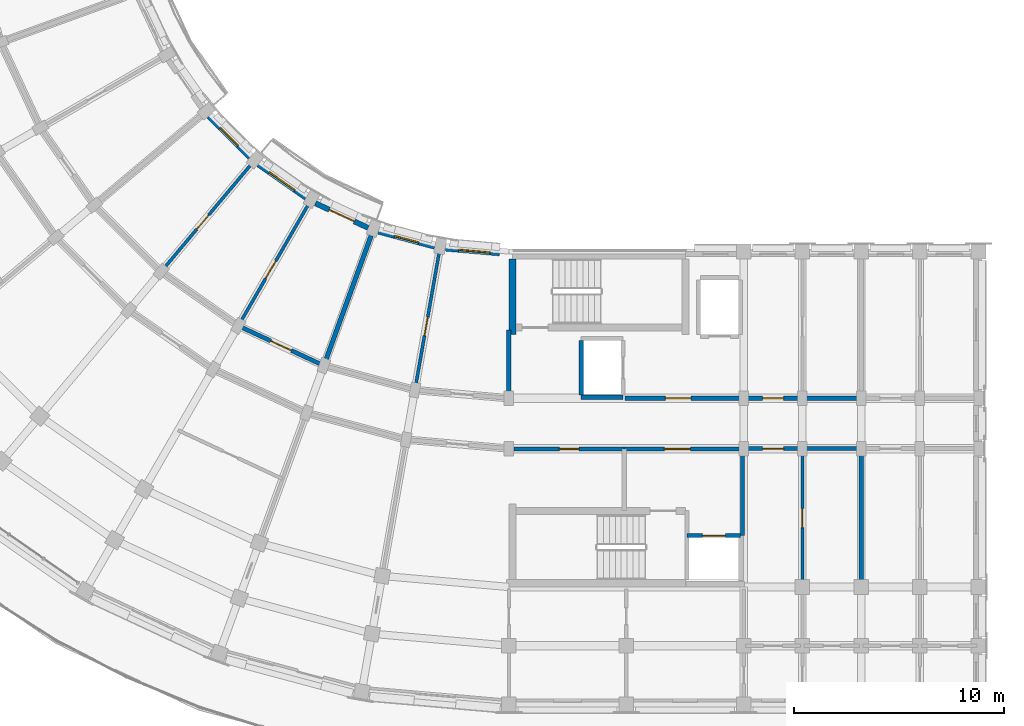
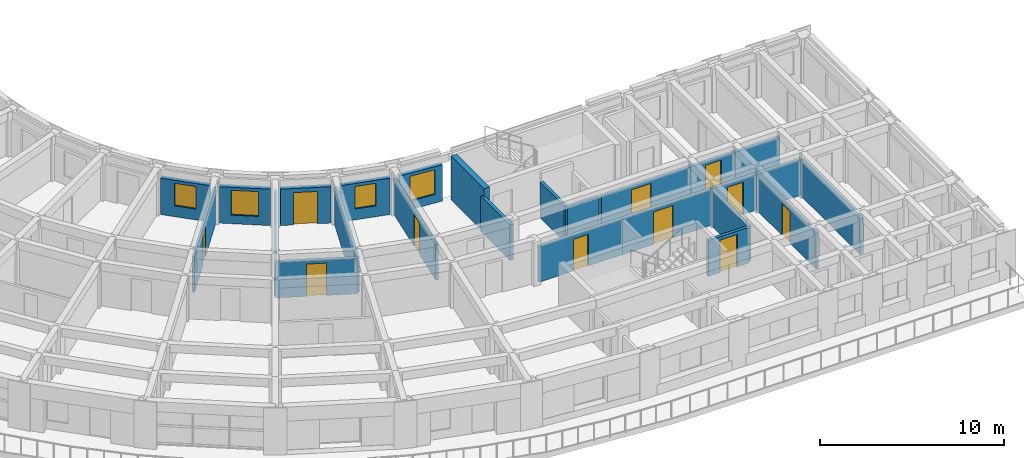
# One storey, part 19 of 57: 25 walls, 12 doors, 4 windows, 16 openings.
"""IFC4 building model written with IfcOpenShell, lengths in metres."""

from ifc_helpers import new_model, si_unit, direction, frame, frame_2d, origin, place, context, subcontext, project, spatial, rectangle, extrude, material, layer, layer_set, type_object, element, fill, save


model = new_model("IFC4")

# Units and contexts
model_context = context("Model", 3, precision=1e-05, world=origin(), true_north=direction((0.0, 1.0)))
body_context = subcontext(model_context, "Body", "Model", "MODEL_VIEW")
ifc_project = project(units=[si_unit("LENGTHUNIT", "METRE"), si_unit("AREAUNIT", "SQUARE_METRE"), si_unit("VOLUMEUNIT", "CUBIC_METRE"), si_unit("PLANEANGLEUNIT", "RADIAN"), si_unit("MASSUNIT", "GRAM", prefix="KILO")], contexts=[model_context])

# Site, building, storey
site_placement = place(None, origin())
site = spatial("IfcSite", under=ifc_project, at=site_placement, CompositionType="ELEMENT")
building_placement = place(site_placement, origin())
building = spatial("IfcBuilding", under=site, at=building_placement, Name="Kiranvali Square Residences", CompositionType="ELEMENT")
storey_placement = place(building_placement, frame((0.0, 0.0, 24.449951171875)))
storey = spatial("IfcBuildingStorey", under=building, at=storey_placement, Name="L07", CompositionType="ELEMENT", Elevation=24.449951171875)

# Wall, opening, door
ifc_material_1 = material(Name="Autoclaved aerated concrete blockwork masonry", Category="masonry")
ifc_layer_1 = layer(ifc_material_1, 0.199951171875)
ifc_layer_set_1 = layer_set([ifc_layer_1], Name="Autoclaved aerated concrete blockwork masonry")
wall_type_1 = type_object("IfcWallType", Name="WL-COR-200", PredefinedType="STANDARD", material=ifc_layer_set_1)
wall_1_placement = place(storey_placement, frame((53.75, 22.39990234375, 0.0), z_axis=(0.0, 0.0, 1.0), x_axis=(1.0, 0.0, 0.0)))
wall_1 = element("IfcWall", 1, at=wall_1_placement, inside=storey, type_object=wall_type_1, Name="L07 architectural wall WL-L07-C-LL-COR", PredefinedType="STANDARD", context=body_context, shape_type="SweptSolid", body=[
    extrude(rectangle(XDim=5.60009765625, YDim=0.199951171875, at=frame_2d((2.800048828125, 0.0))), origin(), (0.0, 0.0, 1.0), 2.3720703125),
])
opening_1_placement = place(wall_1_placement, frame((1.909912109375, 0.0, 0.0)))
opening_1 = element("IfcOpeningElement", 2, at=opening_1_placement, cuts=wall_1, Name="Opening FD-COR-60", PredefinedType="OPENING", context=body_context, shape_type="SweptSolid", body=[
    extrude(rectangle(XDim=1.219970703125, YDim=2.14990234375, at=frame_2d((0.60986328125, 1.074951171875))), frame((0.0, 0.10986328125, 0.0), z_axis=(0.0, -1.0, 0.0), x_axis=(1.0, 0.0, 0.0)), (0.0, 0.0, 1.0), 0.219970703125),
])
ifc_material_2 = material(Name="Fire-rated acoustic hardwood and mineral-core door assembly", Category="wood")
door_type_1 = type_object("IfcDoorType", Name="DR-FD60-1200", OperationType="NOTDEFINED", PredefinedType="DOOR", material=ifc_material_2)
door_1_placement = place(opening_1_placement, frame((1.219970703125, 0.0, 0.0), z_axis=(0.0, 0.0, 1.0), x_axis=(-1.0, 0.0, 0.0)))
door_1 = element("IfcDoor", 3, at=door_1_placement, inside=storey, type_object=door_type_1, Name="L07 door DR-L07-2148 (DR-FD60-1200)", OperationType="SINGLE_SWING_RIGHT", OverallHeight=2.14990234375, OverallWidth=1.219970703125, PredefinedType="DOOR", context=body_context, shape_type="SweptSolid", body=[
    extrude(rectangle(XDim=1.219970703125, YDim=2.14990234375, at=frame_2d((0.60986328125, 1.074951171875))), frame((0.0, 0.02490234375, 0.0), z_axis=(0.0, -1.0, 0.0), x_axis=(1.0, 0.0, 0.0)), (0.0, 0.0, 1.0), 0.050048828125),
])
fill(opening_1, door_1)

wall_2_placement = place(storey_placement, frame((59.39990234375, 22.39990234375, 0.0), z_axis=(0.0, 0.0, 1.0), x_axis=(1.0, 0.0, 0.0)))
wall_2 = element("IfcWall", 4, at=wall_2_placement, inside=storey, type_object=wall_type_1, Name="L07 architectural wall WL-L07-C-A1CI-0", PredefinedType="STANDARD", context=body_context, shape_type="SweptSolid", body=[
    extrude(rectangle(XDim=2.800048828125, YDim=0.199951171875, at=frame_2d((1.39990234375, 0.0))), origin(), (0.0, 0.0, 1.0), 2.3720703125),
])
opening_2_placement = place(wall_2_placement, frame((0.89990234375, 0.0, 0.0)))
opening_2 = element("IfcOpeningElement", 5, at=opening_2_placement, cuts=wall_2, Name="Opening FD-APT-60", PredefinedType="OPENING", context=body_context, shape_type="SweptSolid", body=[
    extrude(rectangle(XDim=1.0, YDim=2.14990234375, at=frame_2d((0.5, 1.074951171875))), frame((0.0, 0.10986328125, 0.0), z_axis=(0.0, -1.0, 0.0), x_axis=(1.0, 0.0, 0.0)), (0.0, 0.0, 1.0), 0.219970703125),
])
door_type_2 = type_object("IfcDoorType", Name="DR-APT-1000", OperationType="NOTDEFINED", PredefinedType="DOOR", material=ifc_material_2)
door_2_placement = place(opening_2_placement, frame((1.0, 0.0, 0.0), z_axis=(0.0, 0.0, 1.0), x_axis=(-1.0, 0.0, 0.0)))
door_2 = element("IfcDoor", 6, at=door_2_placement, inside=storey, type_object=door_type_2, Name="L07 door DR-L07-2152 (DR-APT-1000)", OperationType="SINGLE_SWING_RIGHT", OverallHeight=2.14990234375, OverallWidth=1.0, PredefinedType="DOOR", context=body_context, shape_type="SweptSolid", body=[
    extrude(rectangle(XDim=1.0, YDim=2.14990234375, at=frame_2d((0.5, 1.074951171875))), frame((0.0, 0.02490234375, 0.0), z_axis=(0.0, -1.0, 0.0), x_axis=(1.0, 0.0, 0.0)), (0.0, 0.0, 1.0), 0.050048828125),
])
fill(opening_2, door_2)

wall_3_placement = place(storey_placement, frame((59.39990234375, 20.0, 0.0), z_axis=(0.0, 0.0, 1.0), x_axis=(1.0, 0.0, 0.0)))
wall_3 = element("IfcWall", 7, at=wall_3_placement, inside=storey, type_object=wall_type_1, Name="L07 architectural wall WL-L07-C-A1CO-0", PredefinedType="STANDARD", context=body_context, shape_type="SweptSolid", body=[
    extrude(rectangle(XDim=2.800048828125, YDim=0.199951171875, at=frame_2d((1.39990234375, 0.0))), origin(), (0.0, 0.0, 1.0), 2.3720703125),
])
opening_3_placement = place(wall_3_placement, frame((0.89990234375, 0.0, 0.0)))
opening_3 = element("IfcOpeningElement", 8, at=opening_3_placement, cuts=wall_3, Name="Opening FD-APT-60", PredefinedType="OPENING", context=body_context, shape_type="SweptSolid", body=[
    extrude(rectangle(XDim=1.0, YDim=2.14990234375, at=frame_2d((0.5, 1.074951171875))), frame((0.0, 0.10986328125, 0.0), z_axis=(0.0, -1.0, 0.0), x_axis=(1.0, 0.0, 0.0)), (0.0, 0.0, 1.0), 0.219970703125),
])
door_3_placement = place(opening_3_placement, frame((1.0, 0.0, 0.0), z_axis=(0.0, 0.0, 1.0), x_axis=(-1.0, 0.0, 0.0)))
door_3 = element("IfcDoor", 9, at=door_3_placement, inside=storey, type_object=door_type_2, Name="L07 door DR-L07-2154 (DR-APT-1000)", OperationType="SINGLE_SWING_RIGHT", OverallHeight=2.14990234375, OverallWidth=1.0, PredefinedType="DOOR", context=body_context, shape_type="SweptSolid", body=[
    extrude(rectangle(XDim=1.0, YDim=2.14990234375, at=frame_2d((0.5, 1.074951171875))), frame((0.0, 0.02490234375, 0.0), z_axis=(0.0, -1.0, 0.0), x_axis=(1.0, 0.0, 0.0)), (0.0, 0.0, 1.0), 0.050048828125),
])
fill(opening_3, door_3)

# Walls
for number, where, z_axis, x_axis, name in (
    (10, (62.199951171875, 22.39990234375, 0.0), (0.0, 0.0, 1.0), (1.0, 0.0, 0.0), "L07 architectural wall WL-L07-C-A1CI-1"),
    (11, (62.199951171875, 20.0, 0.0), (0.0, 0.0, 1.0), (1.0, 0.0, 0.0), "L07 architectural wall WL-L07-C-A1CO-1"),
):
    element("IfcWall", number, at=place(storey_placement, frame(where, z_axis=z_axis, x_axis=x_axis)), inside=storey, type_object=wall_type_1, Name=name, PredefinedType="STANDARD", context=body_context, shape_type="SweptSolid", body=[
        extrude(rectangle(XDim=2.800048828125, YDim=0.199951171875, at=frame_2d((1.39990234375, 0.0))), origin(), (0.0, 0.0, 1.0), 2.3720703125),
    ])

# Wall, opening, door
wall_4_placement = place(storey_placement, frame((39.3759765625, 23.955810546875, 0.0), z_axis=(0.0, 0.0, 1.0), x_axis=(-0.906307919131, 0.422617978463, 0.0)))
wall_4 = element("IfcWall", 12, at=wall_4_placement, inside=storey, type_object=wall_type_1, Name="L07 architectural wall WL-L07-C-CCI-2", PredefinedType="STANDARD", context=body_context, shape_type="SweptSolid", body=[
    extrude(rectangle(XDim=4.497314453125, YDim=0.199951171875, at=frame_2d((2.24853515625, 0.0))), origin(), (0.0, 0.0, 1.0), 2.3720703125),
])
opening_4_placement = place(wall_4_placement, frame((1.708740234375, 0.0, 0.0)))
opening_4 = element("IfcOpeningElement", 13, at=opening_4_placement, cuts=wall_4, Name="Opening FD-APT-60C", PredefinedType="OPENING", context=body_context, shape_type="SweptSolid", body=[
    extrude(rectangle(XDim=1.080078125, YDim=2.14990234375, at=frame_2d((0.5400390625, 1.074951171875))), frame((0.0, 0.10986328125, 0.0), z_axis=(0.0, -1.0, 0.0), x_axis=(1.0, 0.0, 0.0)), (0.0, 0.0, 1.0), 0.219970703125),
])
door_type_3 = type_object("IfcDoorType", Name="DR-APT-1080", OperationType="NOTDEFINED", PredefinedType="DOOR", material=ifc_material_2)
door_4_placement = place(opening_4_placement, frame((1.080078125, 0.0, 0.0), z_axis=(0.0, 0.0, 1.0), x_axis=(-1.0, 0.0, 0.0)))
door_4 = element("IfcDoor", 14, at=door_4_placement, inside=storey, type_object=door_type_3, Name="L07 door DR-L07-2186 (DR-APT-1080)", OperationType="SINGLE_SWING_RIGHT", OverallHeight=2.14990234375, OverallWidth=1.080078125, PredefinedType="DOOR", context=body_context, shape_type="SweptSolid", body=[
    extrude(rectangle(XDim=1.080078125, YDim=2.14990234375, at=frame_2d((0.5400390625, 1.074951171875))), frame((0.0, 0.02490234375, 0.0), z_axis=(0.0, -1.0, 0.0), x_axis=(1.0, 0.0, 0.0)), (0.0, 0.0, 1.0), 0.050048828125),
])
fill(opening_4, door_4)

# Walls
ifc_layer_2 = layer(ifc_material_1, 0.219970703125)
ifc_layer_set_2 = layer_set([ifc_layer_2], Name="Autoclaved aerated concrete blockwork masonry")
wall_type_2 = type_object("IfcWallType", Name="WL-DEM-220", PredefinedType="STANDARD", material=ifc_layer_set_2)
wall_5_placement = place(storey_placement, frame((65.0, 19.949951171875, 0.0), z_axis=(0.0, 0.0, 1.0), x_axis=(0.0, -1.0, 0.0)))
element("IfcWall", 15, at=wall_5_placement, inside=storey, type_object=wall_type_2, Name="L07 architectural wall WL-L07-C-A1TO1-2", PredefinedType="STANDARD", context=body_context, shape_type="SweptSolid", body=[
    extrude(rectangle(XDim=6.530029296875, YDim=0.219970703125, at=frame_2d((3.26513671875, 0.0))), origin(), (0.0, 0.0, 1.0), 2.3720703125),
])
wall_6_placement = place(storey_placement, frame((48.199951171875, 25.64990234375, 0.0), z_axis=(0.0, 0.0, 1.0), x_axis=(0.0, -1.0, 0.0)))
element("IfcWall", 16, at=wall_6_placement, inside=storey, type_object=wall_type_2, Name="L07 architectural wall WL-L07-C-RADI-0", PredefinedType="STANDARD", context=body_context, shape_type="SweptSolid", body=[
    extrude(rectangle(XDim=3.199951171875, YDim=0.219970703125, at=frame_2d((1.60009765625, 0.0))), origin(), (0.0, 0.0, 1.0), 2.3720703125),
])
wall_7_placement = place(storey_placement, frame((41.70166015625, 30.345947265625, 0.0), z_axis=(0.0, 0.0, 1.0), x_axis=(-0.342010221662, -0.939696231917, 0.0)))
element("IfcWall", 17, at=wall_7_placement, inside=storey, type_object=wall_type_2, Name="L07 architectural wall WL-L07-C-RADI-2", PredefinedType="STANDARD", context=body_context, shape_type="SweptSolid", body=[
    extrude(rectangle(XDim=6.75, YDim=0.219970703125, at=frame_2d((3.375, 0.0))), origin(), (0.0, 0.0, 1.0), 2.3720703125),
])

# Wall, opening, window
ifc_material_3 = material(Name="Breathable lime-rendered clay brick masonry", Category="masonry")
ifc_layer_3 = layer(ifc_material_3, 0.25)
ifc_layer_set_3 = layer_set([ifc_layer_3], Name="Breathable lime-rendered clay brick masonry")
wall_type_3 = type_object("IfcWallType", Name="WL-EXT-250", PredefinedType="STANDARD", material=ifc_layer_set_3)
wall_8_placement = place(storey_placement, frame((47.750732421875, 29.313720703125, 0.0), z_axis=(0.0, 0.0, 1.0), x_axis=(-0.996188278786, 0.087229084652, 0.0)))
wall_8 = element("IfcWall", 18, at=wall_8_placement, inside=storey, type_object=wall_type_3, Name="L07 exterior wall C-L07-GDN-00", PredefinedType="STANDARD", context=body_context, shape_type="SweptSolid", body=[
    extrude(rectangle(XDim=2.583251953125, YDim=0.25, at=frame_2d((1.29150390625, 0.0))), origin(), (0.0, 0.0, 1.0), 2.422119140625),
])
opening_5_placement = place(wall_8_placement, frame((0.448486328125, 0.0, 0.572021484375)))
opening_5 = element("IfcOpeningElement", 19, at=opening_5_placement, cuts=wall_8, Name="Opening W-05", PredefinedType="OPENING", context=body_context, shape_type="SweptSolid", body=[
    extrude(rectangle(XDim=1.5, YDim=1.64990234375, at=frame_2d((0.75, 0.824951171875))), frame((0.0, 0.135009765625, 0.0), z_axis=(0.0, -1.0, 0.0), x_axis=(1.0, 0.0, 0.0)), (0.0, 0.0, 1.0), 0.27001953125),
])
ifc_material_4 = material(Name="Solar-control low-e double glazing", Category="glass")
window_type_1 = type_object("IfcWindowType", Name="WIN-RES-1500x1650", PartitioningType="DOUBLE_PANEL_VERTICAL", PredefinedType="WINDOW", material=ifc_material_4)
window_1_placement = place(opening_5_placement, origin())
window_1 = element("IfcWindow", 20, at=window_1_placement, inside=storey, type_object=window_type_1, Name="L07 recessed window C-L07-GDN-00", OverallHeight=1.64990234375, OverallWidth=1.5, PartitioningType="DOUBLE_PANEL_VERTICAL", PredefinedType="WINDOW", context=body_context, shape_type="SweptSolid", body=[
    extrude(rectangle(XDim=1.5, YDim=1.64990234375, at=frame_2d((0.75, 0.824951171875))), frame((0.0, 0.030029296875, 0.0), z_axis=(0.0, -1.0, 0.0), x_axis=(1.0, 0.0, 0.0)), (0.0, 0.0, 1.0), 0.06005859375),
])
fill(opening_5, window_1)

wall_9_placement = place(storey_placement, frame((44.658203125, 29.630615234375, 0.0), z_axis=(0.0, 0.0, 1.0), x_axis=(-0.965935855992, 0.25878161084, 0.0)))
wall_9 = element("IfcWall", 21, at=wall_9_placement, inside=storey, type_object=wall_type_3, Name="L07 exterior wall C-L07-GDN-01", PredefinedType="STANDARD", context=body_context, shape_type="SweptSolid", body=[
    extrude(rectangle(XDim=2.769775390625, YDim=0.25, at=frame_2d((1.384765625, 0.0))), origin(), (0.0, 0.0, 1.0), 2.422119140625),
])
opening_6_placement = place(wall_9_placement, frame((0.784912109375, 0.0, 0.721923828125)))
opening_6 = element("IfcOpeningElement", 22, at=opening_6_placement, cuts=wall_9, Name="Opening W-06", PredefinedType="OPENING", context=body_context, shape_type="SweptSolid", body=[
    extrude(rectangle(XDim=1.199951171875, YDim=1.5, at=frame_2d((0.60009765625, 0.75))), frame((0.0, 0.135009765625, 0.0), z_axis=(0.0, -1.0, 0.0), x_axis=(1.0, 0.0, 0.0)), (0.0, 0.0, 1.0), 0.27001953125),
])
window_type_2 = type_object("IfcWindowType", Name="WIN-RES-1200x1500", PartitioningType="SINGLE_PANEL", PredefinedType="WINDOW", material=ifc_material_4)
window_2_placement = place(opening_6_placement, origin())
window_2 = element("IfcWindow", 23, at=window_2_placement, inside=storey, type_object=window_type_2, Name="L07 recessed window C-L07-GDN-01", OverallHeight=1.5, OverallWidth=1.199951171875, PartitioningType="SINGLE_PANEL", PredefinedType="WINDOW", context=body_context, shape_type="SweptSolid", body=[
    extrude(rectangle(XDim=1.199951171875, YDim=1.5, at=frame_2d((0.60009765625, 0.75))), frame((0.0, 0.030029296875, 0.0), z_axis=(0.0, -1.0, 0.0), x_axis=(1.0, 0.0, 0.0)), (0.0, 0.0, 1.0), 0.06005859375),
])
fill(opening_6, window_2)

# Wall, opening, door
wall_10_placement = place(storey_placement, frame((41.4873046875, 30.527587890625, 0.0), z_axis=(0.0, 0.0, 1.0), x_axis=(-0.906293449611, 0.422649007088, 0.0)))
wall_10 = element("IfcWall", 24, at=wall_10_placement, inside=storey, type_object=wall_type_3, Name="L07 exterior wall C-L07-GDN-02", PredefinedType="STANDARD", context=body_context, shape_type="SweptSolid", body=[
    extrude(rectangle(XDim=2.769775390625, YDim=0.25, at=frame_2d((1.384765625, 0.0))), origin(), (0.0, 0.0, 1.0), 2.422119140625),
])
opening_7_placement = place(wall_10_placement, frame((0.724853515625, 0.0, 0.0)))
opening_7 = element("IfcOpeningElement", 25, at=opening_7_placement, cuts=wall_10, Name="Opening ED-BAL-3", PredefinedType="OPENING", context=body_context, shape_type="SweptSolid", body=[
    extrude(rectangle(XDim=1.320068359375, YDim=2.14990234375, at=frame_2d((0.66015625, 1.074951171875))), frame((0.0, 0.135009765625, 0.0), z_axis=(0.0, -1.0, 0.0), x_axis=(1.0, 0.0, 0.0)), (0.0, 0.0, 1.0), 0.27001953125),
])
ifc_material_5 = material(Name="Anodised bronze aluminium framing", Category="aluminium")
door_type_4 = type_object("IfcDoorType", Name="DR-BAL-1320", OperationType="NOTDEFINED", PredefinedType="DOOR", material=ifc_material_5)
door_5_placement = place(opening_7_placement, frame((1.320068359375, 0.0, 0.0), z_axis=(0.0, 0.0, 1.0), x_axis=(-1.0, 0.0, 0.0)))
door_5 = element("IfcDoor", 26, at=door_5_placement, inside=storey, type_object=door_type_4, Name="L07 balcony terrace door", OperationType="SINGLE_SWING_RIGHT", OverallHeight=2.14990234375, OverallWidth=1.320068359375, PredefinedType="DOOR", context=body_context, shape_type="SweptSolid", body=[
    extrude(rectangle(XDim=1.320068359375, YDim=2.14990234375, at=frame_2d((0.66015625, 1.074951171875))), frame((0.0, 0.02490234375, 0.0), z_axis=(0.0, -1.0, 0.0), x_axis=(1.0, 0.0, 0.0)), (0.0, 0.0, 1.0), 0.050048828125),
])
fill(opening_7, door_5)

# Wall, opening, window
wall_11_placement = place(storey_placement, frame((38.5205078125, 31.961669921875, 0.0), z_axis=(0.0, 0.0, 1.0), x_axis=(-0.819111815273, 0.573633885053, 0.0)))
wall_11 = element("IfcWall", 27, at=wall_11_placement, inside=storey, type_object=wall_type_3, Name="L07 exterior wall C-L07-GDN-03", PredefinedType="STANDARD", context=body_context, shape_type="SweptSolid", body=[
    extrude(rectangle(XDim=2.769775390625, YDim=0.25, at=frame_2d((1.384765625, 0.0))), origin(), (0.0, 0.0, 1.0), 2.422119140625),
])
opening_8_placement = place(wall_11_placement, frame((0.635009765625, 0.0, 0.572021484375)))
opening_8 = element("IfcOpeningElement", 28, at=opening_8_placement, cuts=wall_11, Name="Opening W-05", PredefinedType="OPENING", context=body_context, shape_type="SweptSolid", body=[
    extrude(rectangle(XDim=1.5, YDim=1.64990234375, at=frame_2d((0.75, 0.824951171875))), frame((0.0, 0.135009765625, 0.0), z_axis=(0.0, -1.0, 0.0), x_axis=(1.0, 0.0, 0.0)), (0.0, 0.0, 1.0), 0.27001953125),
])
window_3_placement = place(opening_8_placement, origin())
window_3 = element("IfcWindow", 29, at=window_3_placement, inside=storey, type_object=window_type_1, Name="L07 recessed window C-L07-GDN-03", OverallHeight=1.64990234375, OverallWidth=1.5, PartitioningType="DOUBLE_PANEL_VERTICAL", PredefinedType="WINDOW", context=body_context, shape_type="SweptSolid", body=[
    extrude(rectangle(XDim=1.5, YDim=1.64990234375, at=frame_2d((0.75, 0.824951171875))), frame((0.0, 0.030029296875, 0.0), z_axis=(0.0, -1.0, 0.0), x_axis=(1.0, 0.0, 0.0)), (0.0, 0.0, 1.0), 0.06005859375),
])
fill(opening_8, window_3)

wall_12_placement = place(storey_placement, frame((35.847900390625, 33.88916015625, 0.0), z_axis=(0.0, 0.0, 1.0), x_axis=(-0.707106781187, 0.707106781187, 0.0)))
wall_12 = element("IfcWall", 30, at=wall_12_placement, inside=storey, type_object=wall_type_3, Name="L07 exterior wall C-L07-GDN-04", PredefinedType="STANDARD", context=body_context, shape_type="SweptSolid", body=[
    extrude(rectangle(XDim=2.77001953125, YDim=0.25, at=frame_2d((1.385009765625, 0.0))), origin(), (0.0, 0.0, 1.0), 2.422119140625),
])
opening_9_placement = place(wall_12_placement, frame((0.784912109375, 0.0, 0.721923828125)))
opening_9 = element("IfcOpeningElement", 31, at=opening_9_placement, cuts=wall_12, Name="Opening W-06", PredefinedType="OPENING", context=body_context, shape_type="SweptSolid", body=[
    extrude(rectangle(XDim=1.199951171875, YDim=1.5, at=frame_2d((0.60009765625, 0.75))), frame((0.0, 0.135009765625, 0.0), z_axis=(0.0, -1.0, 0.0), x_axis=(1.0, 0.0, 0.0)), (0.0, 0.0, 1.0), 0.27001953125),
])
window_4_placement = place(opening_9_placement, origin())
window_4 = element("IfcWindow", 32, at=window_4_placement, inside=storey, type_object=window_type_2, Name="L07 recessed window C-L07-GDN-04", OverallHeight=1.5, OverallWidth=1.199951171875, PartitioningType="SINGLE_PANEL", PredefinedType="WINDOW", context=body_context, shape_type="SweptSolid", body=[
    extrude(rectangle(XDim=1.199951171875, YDim=1.5, at=frame_2d((0.60009765625, 0.75))), frame((0.0, 0.030029296875, 0.0), z_axis=(0.0, -1.0, 0.0), x_axis=(1.0, 0.0, 0.0)), (0.0, 0.0, 1.0), 0.06005859375),
])
fill(opening_9, window_4)

# Wall, opening, door
ifc_layer_4 = layer(ifc_material_1, 0.199951171875)
ifc_layer_set_4 = layer_set([ifc_layer_4], Name="Autoclaved aerated concrete blockwork masonry")
wall_type_4 = type_object("IfcWallType", Name="WL-FFL-200", PredefinedType="STANDARD", material=ifc_layer_set_4)
wall_13_placement = place(storey_placement, frame((53.699951171875, 19.97998046875, 0.0), z_axis=(0.0, 0.0, 1.0), x_axis=(1.0, 0.0, 0.0)))
wall_13 = element("IfcWall", 33, at=wall_13_placement, inside=storey, type_object=wall_type_4, Name="L07 architectural wall WL-L07-C-FF-COR", PredefinedType="STANDARD", context=body_context, shape_type="SweptSolid", body=[
    extrude(rectangle(XDim=5.650146484375, YDim=0.199951171875, at=frame_2d((2.8251953125, 0.0))), origin(), (0.0, 0.0, 1.0), 2.3720703125),
])
opening_10_placement = place(wall_13_placement, frame((1.922607421875, 0.0, 0.0)))
opening_10 = element("IfcOpeningElement", 34, at=opening_10_placement, cuts=wall_13, Name="Opening FD-ST-120", PredefinedType="OPENING", context=body_context, shape_type="SweptSolid", body=[
    extrude(rectangle(XDim=1.239990234375, YDim=2.14990234375, at=frame_2d((0.6201171875, 1.074951171875))), frame((0.0, 0.10986328125, 0.0), z_axis=(0.0, -1.0, 0.0), x_axis=(1.0, 0.0, 0.0)), (0.0, 0.0, 1.0), 0.219970703125),
])
door_type_5 = type_object("IfcDoorType", Name="DR-FD120-1200", OperationType="NOTDEFINED", PredefinedType="DOOR", material=ifc_material_2)
door_6_placement = place(opening_10_placement, frame((1.239990234375, 0.0, 0.0), z_axis=(0.0, 0.0, 1.0), x_axis=(-1.0, 0.0, 0.0)))
door_6 = element("IfcDoor", 35, at=door_6_placement, inside=storey, type_object=door_type_5, Name="L07 door DR-L07-2140 (DR-FD120-1200)", OperationType="SINGLE_SWING_RIGHT", OverallHeight=2.14990234375, OverallWidth=1.239990234375, PredefinedType="DOOR", context=body_context, shape_type="SweptSolid", body=[
    extrude(rectangle(XDim=1.239990234375, YDim=2.14990234375, at=frame_2d((0.6201171875, 1.074951171875))), frame((0.0, 0.02490234375, 0.0), z_axis=(0.0, -1.0, 0.0), x_axis=(1.0, 0.0, 0.0)), (0.0, 0.0, 1.0), 0.050048828125),
])
fill(opening_10, door_6)

# Wall
wall_14_placement = place(storey_placement, frame((59.35009765625, 19.97998046875, 0.0), z_axis=(0.0, 0.0, 1.0), x_axis=(0.0, -1.0, 0.0)))
element("IfcWall", 36, at=wall_14_placement, inside=storey, type_object=wall_type_4, Name="L07 architectural wall WL-L07-C-FF-END", PredefinedType="STANDARD", context=body_context, shape_type="SweptSolid", body=[
    extrude(rectangle(XDim=4.1298828125, YDim=0.199951171875, at=frame_2d((2.06494140625, 0.0))), origin(), (0.0, 0.0, 1.0), 2.3720703125),
])

# Wall, opening, door
wall_15_placement = place(storey_placement, frame((56.699951171875, 15.85009765625, 0.0), z_axis=(0.0, 0.0, 1.0), x_axis=(1.0, 0.0, 0.0)))
wall_15 = element("IfcWall", 37, at=wall_15_placement, inside=storey, type_object=wall_type_4, Name="L07 architectural wall WL-L07-C-FF-LFT", PredefinedType="STANDARD", context=body_context, shape_type="SweptSolid", body=[
    extrude(rectangle(XDim=2.550048828125, YDim=0.199951171875, at=frame_2d((1.27490234375, 0.0))), origin(), (0.0, 0.0, 1.0), 2.3720703125),
])
opening_11_placement = place(wall_15_placement, frame((0.72509765625, 0.0, 0.0)))
opening_11 = element("IfcOpeningElement", 38, at=opening_11_placement, cuts=wall_15, Name="Opening LD-FF-110", PredefinedType="OPENING", context=body_context, shape_type="SweptSolid", body=[
    extrude(rectangle(XDim=1.10009765625, YDim=2.14990234375, at=frame_2d((0.550048828125, 1.074951171875))), frame((0.0, 0.10986328125, 0.0), z_axis=(0.0, -1.0, 0.0), x_axis=(1.0, 0.0, 0.0)), (0.0, 0.0, 1.0), 0.219970703125),
])
door_type_6 = type_object("IfcDoorType", Name="DR-LIFT-FF-1100", OperationType="SLIDING_TO_LEFT", PredefinedType="DOOR", material=ifc_material_2)
door_7_placement = place(opening_11_placement, origin())
door_7 = element("IfcDoor", 39, at=door_7_placement, inside=storey, type_object=door_type_6, Name="L07 door DR-L07-2142 (DR-LIFT-FF-1100)", OperationType="SLIDING_TO_LEFT", OverallHeight=2.14990234375, OverallWidth=1.10009765625, PredefinedType="DOOR", context=body_context, shape_type="SweptSolid", body=[
    extrude(rectangle(XDim=1.10009765625, YDim=2.14990234375, at=frame_2d((0.550048828125, 1.074951171875))), frame((0.0, 0.02490234375, 0.0), z_axis=(0.0, -1.0, 0.0), x_axis=(1.0, 0.0, 0.0)), (0.0, 0.0, 1.0), 0.050048828125),
])
fill(opening_11, door_7)

ifc_material_6 = material(Name="Acoustic gypsum board drylined partition", Category="gypsum")
ifc_layer_5 = layer(ifc_material_6, 0.14990234375)
ifc_layer_set_5 = layer_set([ifc_layer_5], Name="Acoustic gypsum board drylined partition")
wall_type_5 = type_object("IfcWallType", Name="WL-PRT-150", PredefinedType="PARTITIONING", material=ifc_layer_set_5)
wall_16_placement = place(storey_placement, frame((62.199951171875, 19.949951171875, 0.0), z_axis=(0.0, 0.0, 1.0), x_axis=(0.0, -1.0, 0.0)))
wall_16 = element("IfcWall", 40, at=wall_16_placement, inside=storey, type_object=wall_type_5, Name="L07 architectural wall WL-L07-C-A1TO1-1", PredefinedType="PARTITIONING", context=body_context, shape_type="SweptSolid", body=[
    extrude(rectangle(XDim=6.530029296875, YDim=0.14990234375, at=frame_2d((3.26513671875, 0.0))), origin(), (0.0, 0.0, 1.0), 2.3720703125),
])
opening_12_placement = place(wall_16_placement, frame((2.81494140625, 0.0, 0.0)))
opening_12 = element("IfcOpeningElement", 41, at=opening_12_placement, cuts=wall_16, Name="Opening ID-1", PredefinedType="OPENING", context=body_context, shape_type="SweptSolid", body=[
    extrude(rectangle(XDim=0.89990234375, YDim=2.10009765625, at=frame_2d((0.449951171875, 1.050048828125))), frame((0.0, 0.0849609375, 0.0), z_axis=(0.0, -1.0, 0.0), x_axis=(1.0, 0.0, 0.0)), (0.0, 0.0, 1.0), 0.169921875),
])
ifc_material_7 = material(Name="Solid seasoned teak hardwood joinery", Category="wood")
door_type_7 = type_object("IfcDoorType", Name="DR-INT-900", OperationType="NOTDEFINED", PredefinedType="DOOR", material=ifc_material_7)
door_8_placement = place(opening_12_placement, frame((0.89990234375, 0.0, 0.0), z_axis=(0.0, 0.0, 1.0), x_axis=(-1.0, 0.0, 0.0)))
door_8 = element("IfcDoor", 42, at=door_8_placement, inside=storey, type_object=door_type_7, Name="L07 door DR-L07-2162 (DR-INT-900)", OperationType="SINGLE_SWING_RIGHT", OverallHeight=2.10009765625, OverallWidth=0.89990234375, PredefinedType="DOOR", context=body_context, shape_type="SweptSolid", body=[
    extrude(rectangle(XDim=0.89990234375, YDim=2.10009765625, at=frame_2d((0.449951171875, 1.050048828125))), frame((0.0, 0.02490234375, 0.0), z_axis=(0.0, -1.0, 0.0), x_axis=(1.0, 0.0, 0.0)), (0.0, 0.0, 1.0), 0.050048828125),
])
fill(opening_12, door_8)

wall_17_placement = place(storey_placement, frame((44.900634765625, 29.48876953125, 0.0), z_axis=(0.0, 0.0, 1.0), x_axis=(-0.173647089161, -0.984807944945, 0.0)))
wall_17 = element("IfcWall", 43, at=wall_17_placement, inside=storey, type_object=wall_type_5, Name="L07 architectural wall WL-L07-C-RADI-1", PredefinedType="PARTITIONING", context=body_context, shape_type="SweptSolid", body=[
    extrude(rectangle(XDim=6.75, YDim=0.14990234375, at=frame_2d((3.375, 0.0))), origin(), (0.0, 0.0, 1.0), 2.3720703125),
])
opening_13_placement = place(wall_17_placement, frame((3.262451171875, 0.0, 0.0)))
opening_13 = element("IfcOpeningElement", 44, at=opening_13_placement, cuts=wall_17, Name="Opening ID-1", PredefinedType="OPENING", context=body_context, shape_type="SweptSolid", body=[
    extrude(rectangle(XDim=0.89990234375, YDim=2.10009765625, at=frame_2d((0.449951171875, 1.050048828125))), frame((0.0, 0.0849609375, 0.0), z_axis=(0.0, -1.0, 0.0), x_axis=(1.0, 0.0, 0.0)), (0.0, 0.0, 1.0), 0.169921875),
])
door_9_placement = place(opening_13_placement, frame((0.89990234375, 0.0, 0.0), z_axis=(0.0, 0.0, 1.0), x_axis=(-1.0, 0.0, 0.0)))
door_9 = element("IfcDoor", 45, at=door_9_placement, inside=storey, type_object=door_type_7, Name="L07 door DR-L07-2168 (DR-INT-900)", OperationType="SINGLE_SWING_RIGHT", OverallHeight=2.10009765625, OverallWidth=0.89990234375, PredefinedType="DOOR", context=body_context, shape_type="SweptSolid", body=[
    extrude(rectangle(XDim=0.89990234375, YDim=2.10009765625, at=frame_2d((0.449951171875, 1.050048828125))), frame((0.0, 0.02490234375, 0.0), z_axis=(0.0, -1.0, 0.0), x_axis=(1.0, 0.0, 0.0)), (0.0, 0.0, 1.0), 0.050048828125),
])
fill(opening_13, door_9)

wall_18_placement = place(storey_placement, frame((38.699951171875, 31.74560546875, 0.0), z_axis=(0.0, 0.0, 1.0), x_axis=(-0.499997969693, -0.866026575979, 0.0)))
wall_18 = element("IfcWall", 46, at=wall_18_placement, inside=storey, type_object=wall_type_5, Name="L07 architectural wall WL-L07-C-RADI-3", PredefinedType="PARTITIONING", context=body_context, shape_type="SweptSolid", body=[
    extrude(rectangle(XDim=6.75, YDim=0.14990234375, at=frame_2d((3.375, 0.0))), origin(), (0.0, 0.0, 1.0), 2.3720703125),
])
opening_14_placement = place(wall_18_placement, frame((3.222412109375, 0.0, 0.0)))
opening_14 = element("IfcOpeningElement", 47, at=opening_14_placement, cuts=wall_18, Name="Opening ID-3", PredefinedType="OPENING", context=body_context, shape_type="SweptSolid", body=[
    extrude(rectangle(XDim=0.97998046875, YDim=2.1201171875, at=frame_2d((0.489990234375, 1.06005859375))), frame((0.0, 0.0849609375, 0.0), z_axis=(0.0, -1.0, 0.0), x_axis=(1.0, 0.0, 0.0)), (0.0, 0.0, 1.0), 0.169921875),
])
door_type_8 = type_object("IfcDoorType", Name="DR-INT-980", OperationType="NOTDEFINED", PredefinedType="DOOR", material=ifc_material_7)
door_10_placement = place(opening_14_placement, origin())
door_10 = element("IfcDoor", 48, at=door_10_placement, inside=storey, type_object=door_type_8, Name="L07 door DR-L07-2171 (DR-INT-980)", OperationType="SINGLE_SWING_LEFT", OverallHeight=2.1201171875, OverallWidth=0.97998046875, PredefinedType="DOOR", context=body_context, shape_type="SweptSolid", body=[
    extrude(rectangle(XDim=0.97998046875, YDim=2.1201171875, at=frame_2d((0.489990234375, 1.06005859375))), frame((0.0, 0.02490234375, 0.0), z_axis=(0.0, -1.0, 0.0), x_axis=(1.0, 0.0, 0.0)), (0.0, 0.0, 1.0), 0.050048828125),
])
fill(opening_14, door_10)

wall_19_placement = place(storey_placement, frame((35.987060546875, 33.645263671875, 0.0), z_axis=(0.0, 0.0, 1.0), x_axis=(-0.642784846501, -0.766046761698, 0.0)))
wall_19 = element("IfcWall", 49, at=wall_19_placement, inside=storey, type_object=wall_type_5, Name="L07 architectural wall WL-L07-C-RADI-4", PredefinedType="PARTITIONING", context=body_context, shape_type="SweptSolid", body=[
    extrude(rectangle(XDim=6.75, YDim=0.14990234375, at=frame_2d((3.375, 0.0))), origin(), (0.0, 0.0, 1.0), 2.3720703125),
])
opening_15_placement = place(wall_19_placement, frame((3.262451171875, 0.0, 0.0)))
opening_15 = element("IfcOpeningElement", 50, at=opening_15_placement, cuts=wall_19, Name="Opening ID-1", PredefinedType="OPENING", context=body_context, shape_type="SweptSolid", body=[
    extrude(rectangle(XDim=0.89990234375, YDim=2.10009765625, at=frame_2d((0.449951171875, 1.050048828125))), frame((0.0, 0.0849609375, 0.0), z_axis=(0.0, -1.0, 0.0), x_axis=(1.0, 0.0, 0.0)), (0.0, 0.0, 1.0), 0.169921875),
])
door_11_placement = place(opening_15_placement, frame((0.89990234375, 0.0, 0.0), z_axis=(0.0, 0.0, 1.0), x_axis=(-1.0, 0.0, 0.0)))
door_11 = element("IfcDoor", 51, at=door_11_placement, inside=storey, type_object=door_type_7, Name="L07 door DR-L07-2172 (DR-INT-900)", OperationType="SINGLE_SWING_RIGHT", OverallHeight=2.10009765625, OverallWidth=0.89990234375, PredefinedType="DOOR", context=body_context, shape_type="SweptSolid", body=[
    extrude(rectangle(XDim=0.89990234375, YDim=2.10009765625, at=frame_2d((0.449951171875, 1.050048828125))), frame((0.0, 0.02490234375, 0.0), z_axis=(0.0, -1.0, 0.0), x_axis=(1.0, 0.0, 0.0)), (0.0, 0.0, 1.0), 0.050048828125),
])
fill(opening_15, door_11)

ifc_layer_6 = layer(ifc_material_1, 0.199951171875)
ifc_layer_set_6 = layer_set([ifc_layer_6], Name="Autoclaved aerated concrete blockwork masonry")
wall_type_6 = type_object("IfcWallType", Name="WL-SHF-200", PredefinedType="STANDARD", material=ifc_layer_set_6)
wall_20_placement = place(storey_placement, frame((48.449951171875, 19.97998046875, 0.0), z_axis=(0.0, 0.0, 1.0), x_axis=(1.0, 0.0, 0.0)))
wall_20 = element("IfcWall", 52, at=wall_20_placement, inside=storey, type_object=wall_type_6, Name="L07 architectural wall WL-L07-C-RSR-COR", PredefinedType="STANDARD", context=body_context, shape_type="SweptSolid", body=[
    extrude(rectangle(XDim=5.25, YDim=0.199951171875, at=frame_2d((2.625, 0.0))), origin(), (0.0, 0.0, 1.0), 2.3720703125),
])
opening_16_placement = place(wall_20_placement, frame((2.1650390625, 0.0, 0.0)))
opening_16 = element("IfcOpeningElement", 53, at=opening_16_placement, cuts=wall_20, Name="Opening FD-SVC-120", PredefinedType="OPENING", context=body_context, shape_type="SweptSolid", body=[
    extrude(rectangle(XDim=0.919921875, YDim=2.10009765625, at=frame_2d((0.4599609375, 1.050048828125))), frame((0.0, 0.10986328125, 0.0), z_axis=(0.0, -1.0, 0.0), x_axis=(1.0, 0.0, 0.0)), (0.0, 0.0, 1.0), 0.219970703125),
])
door_type_9 = type_object("IfcDoorType", Name="DR-SVC-900", OperationType="NOTDEFINED", PredefinedType="DOOR", material=ifc_material_2)
door_12_placement = place(opening_16_placement, origin())
door_12 = element("IfcDoor", 54, at=door_12_placement, inside=storey, type_object=door_type_9, Name="L07 door DR-L07-2141 (DR-SVC-900)", OperationType="SINGLE_SWING_LEFT", OverallHeight=2.10009765625, OverallWidth=0.919921875, PredefinedType="DOOR", context=body_context, shape_type="SweptSolid", body=[
    extrude(rectangle(XDim=0.919921875, YDim=2.10009765625, at=frame_2d((0.4599609375, 1.050048828125))), frame((0.0, 0.02490234375, 0.0), z_axis=(0.0, -1.0, 0.0), x_axis=(1.0, 0.0, 0.0)), (0.0, 0.0, 1.0), 0.050048828125),
])
fill(opening_16, door_12)

# Walls
wall_21_placement = place(storey_placement, frame((51.64990234375, 22.449951171875, 0.0), z_axis=(0.0, 0.0, 1.0), x_axis=(1.0, 0.0, 0.0)))
element("IfcWall", 55, at=wall_21_placement, inside=storey, type_object=wall_type_6, Name="L07 architectural wall WL-L07-C-LP2-B", PredefinedType="STANDARD", context=body_context, shape_type="SweptSolid", body=[
    extrude(rectangle(XDim=2.0, YDim=0.199951171875, at=frame_2d((1.0, 0.0))), origin(), (0.0, 0.0, 1.0), 2.3720703125),
])
wall_22_placement = place(storey_placement, frame((51.64990234375, 25.14990234375, 0.0), z_axis=(0.0, 0.0, 1.0), x_axis=(0.0, -1.0, 0.0)))
element("IfcWall", 56, at=wall_22_placement, inside=storey, type_object=wall_type_6, Name="L07 architectural wall WL-L07-C-LP2-S1", PredefinedType="STANDARD", context=body_context, shape_type="SweptSolid", body=[
    extrude(rectangle(XDim=2.599853515625, YDim=0.199951171875, at=frame_2d((1.2998046875, 0.0))), origin(), (0.0, 0.0, 1.0), 2.3720703125),
])
ifc_material_8 = material(Name="Concrete M45 (45 MPa)", Category="concrete")
ifc_layer_7 = layer(ifc_material_8, 0.320068359375)
ifc_layer_set_7 = layer_set([ifc_layer_7], Name="Concrete M45 (45 MPa)")
wall_type_7 = type_object("IfcWallType", Name="WL-SHR-320", PredefinedType="SHEAR", material=ifc_layer_set_7)
wall_23_placement = place(storey_placement, frame((48.375, 29.050048828125, 0.0), z_axis=(0.0, 0.0, 1.0), x_axis=(0.0, -1.0, 0.0)))
element("IfcWall", 57, at=wall_23_placement, inside=storey, type_object=wall_type_7, Name="Block C core shear wall SW-C2-NEAR-L07", PredefinedType="SHEAR", context=body_context, shape_type="SweptSolid", body=[
    extrude(rectangle(XDim=3.60009765625, YDim=0.35009765625, at=frame_2d((1.800048828125, 0.0))), origin(), (0.0, 0.0, 1.0), 2.929931640625),
])

save(model, "model.ifc")
